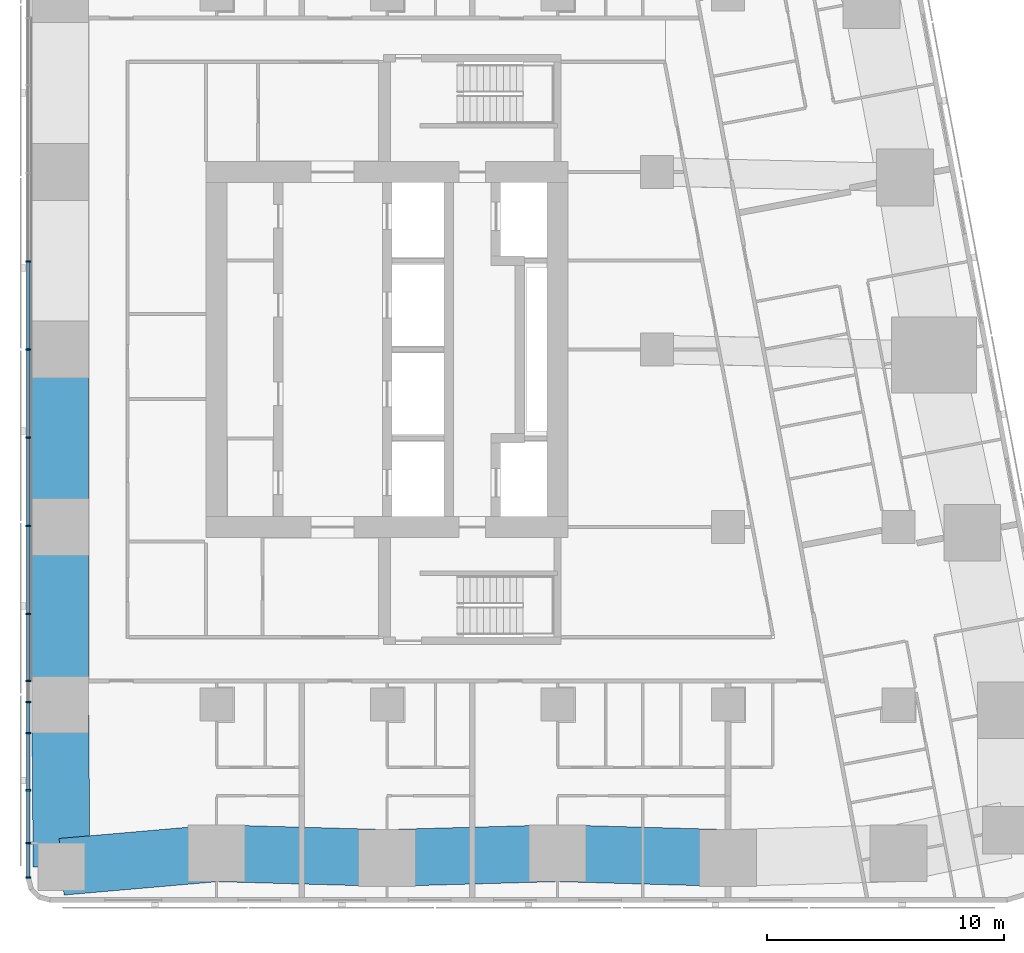
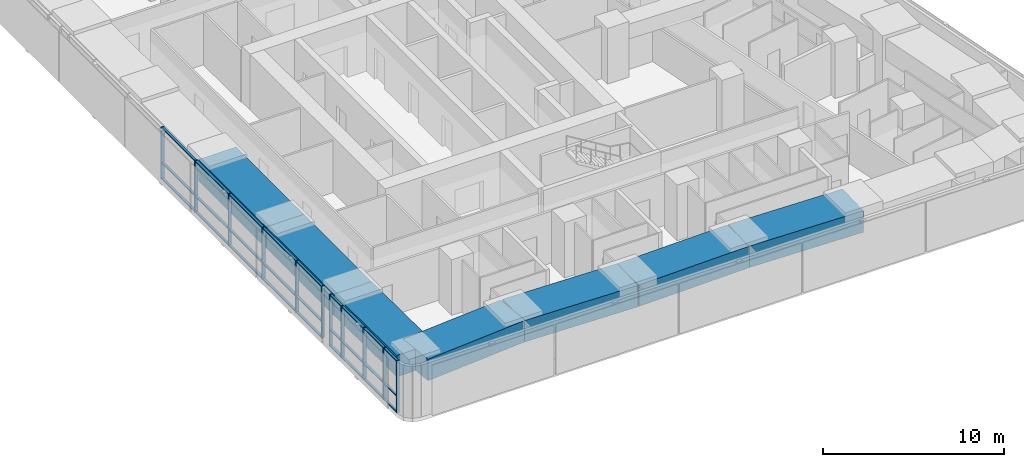
# One storey, part 2 of 17: 38 members, 7 beams, 1 element without a shape of its own.
"""IFC4 building model written with IfcOpenShell, lengths in metres."""

from ifc_helpers import new_model, si_unit, direction, frame, origin, origin_2d, place, context, subcontext, project, spatial, rectangle, extrude, material, material_profile, profile_set, type_object, element, aggregate, save


model = new_model("IFC4")

# Units and contexts
model_context = context("Model", 3, precision=1e-05, world=origin(), true_north=direction((0.0, 1.0)))
body_context = subcontext(model_context, "Body", "Model", "MODEL_VIEW")
ifc_project = project(units=[si_unit("LENGTHUNIT", "METRE"), si_unit("AREAUNIT", "SQUARE_METRE"), si_unit("VOLUMEUNIT", "CUBIC_METRE"), si_unit("PLANEANGLEUNIT", "RADIAN"), si_unit("MASSUNIT", "GRAM", prefix="KILO")], contexts=[model_context])

# Site, building, storey
site_placement = place(None, origin())
site = spatial("IfcSite", under=ifc_project, at=site_placement, CompositionType="ELEMENT")
building_placement = place(site_placement, origin())
building = spatial("IfcBuilding", under=site, at=building_placement, Name="Sheger Commons Tower", CompositionType="ELEMENT")
storey_placement = place(building_placement, frame((0.0, 0.0, 208.699951171875)))
storey = spatial("IfcBuildingStorey", under=building, at=storey_placement, Name="L53", CompositionType="ELEMENT", Elevation=208.699951171875)

# Curtain wall, members
ifc_material_1 = material(Name="Black aluminium curtain wall, dark tinted glazing", Category="aluminium")
curtain_wall_type = type_object("IfcCurtainWallType", Name="CURTAIN WALL CW4 GALLERY", PredefinedType="USERDEFINED", material=ifc_material_1)
curtain_wall_placement = place(storey_placement, origin())
curtain_wall = element("IfcCurtainWall", 1, at=curtain_wall_placement, inside=storey, type_object=curtain_wall_type, Name="Curtain Wall Cw4 Gallery W1 L53", ObjectType="UNITISED CURTAIN WALL", PredefinedType="USERDEFINED")
ifc_material_2 = material(Name="Black anodised aluminium", Category="aluminium")
ifc_material_profile_1 = material_profile(ifc_material_2, rectangle(XDim=0.199951171875, YDim=0.06494140625, at=origin_2d()), Name="AL 65x200")
ifc_profile_set_1 = profile_set([ifc_material_profile_1], Name="Black anodised aluminium")
member_type_1 = type_object("IfcMemberType", Name="MULLION AL 65x200", PredefinedType="MULLION", material=ifc_profile_set_1)
member_1_placement = place(storey_placement, frame((6.449951171875, 26.222900390625, 0.0), z_axis=(0.0, 0.0, 1.0), x_axis=(1.0, 0.0, 0.0)))
member_1 = element("IfcMember", 2, at=member_1_placement, type_object=member_type_1, Name="CW4 mullion 9", PredefinedType="MULLION", context=body_context, shape_type="SweptSolid", body=[
    extrude(rectangle(XDim=0.199951171875, YDim=0.06494140625, at=origin_2d()), origin(), (0.0, 0.0, 1.0), 3.5),
])
member_2_placement = place(storey_placement, frame((6.449951171875, 22.5, 0.0), z_axis=(0.0, 0.0, 1.0), x_axis=(1.0, 0.0, 0.0)))
member_2 = element("IfcMember", 3, at=member_2_placement, type_object=member_type_1, Name="CW4 mullion 10", PredefinedType="MULLION", context=body_context, shape_type="SweptSolid", body=[
    extrude(rectangle(XDim=0.199951171875, YDim=0.06494140625, at=origin_2d()), origin(), (0.0, 0.0, 1.0), 3.5),
])
member_3_placement = place(storey_placement, frame((6.449951171875, 18.777099609375, 0.0), z_axis=(0.0, 0.0, 1.0), x_axis=(1.0, 0.0, 0.0)))
member_3 = element("IfcMember", 4, at=member_3_placement, type_object=member_type_1, Name="CW4 mullion 11", PredefinedType="MULLION", context=body_context, shape_type="SweptSolid", body=[
    extrude(rectangle(XDim=0.199951171875, YDim=0.06494140625, at=origin_2d()), origin(), (0.0, 0.0, 1.0), 3.5),
])
member_4_placement = place(storey_placement, frame((6.449951171875, 15.053955078125, 0.0), z_axis=(0.0, 0.0, 1.0), x_axis=(1.0, 0.0, 0.0)))
member_4 = element("IfcMember", 5, at=member_4_placement, type_object=member_type_1, Name="CW4 mullion 12", PredefinedType="MULLION", context=body_context, shape_type="SweptSolid", body=[
    extrude(rectangle(XDim=0.199951171875, YDim=0.06494140625, at=origin_2d()), origin(), (0.0, 0.0, 1.0), 3.5),
])
member_5_placement = place(storey_placement, frame((6.449951171875, 11.3310546875, 0.0), z_axis=(0.0, 0.0, 1.0), x_axis=(1.0, 0.0, 0.0)))
member_5 = element("IfcMember", 6, at=member_5_placement, type_object=member_type_1, Name="CW4 mullion 13", PredefinedType="MULLION", context=body_context, shape_type="SweptSolid", body=[
    extrude(rectangle(XDim=0.199951171875, YDim=0.06494140625, at=origin_2d()), origin(), (0.0, 0.0, 1.0), 3.5),
])
member_6_placement = place(storey_placement, frame((6.449951171875, 8.5, 0.0), z_axis=(0.0, 0.0, 1.0), x_axis=(1.0, 0.0, 0.0)))
member_6 = element("IfcMember", 7, at=member_6_placement, type_object=member_type_1, Name="CW4 mullion 14", PredefinedType="MULLION", context=body_context, shape_type="SweptSolid", body=[
    extrude(rectangle(XDim=0.199951171875, YDim=0.06494140625, at=origin_2d()), origin(), (0.0, 0.0, 1.0), 3.5),
])
member_7_placement = place(storey_placement, frame((6.449951171875, 7.60888671875, 0.0), z_axis=(0.0, 0.0, 1.0), x_axis=(1.0, 0.0, 0.0)))
member_7 = element("IfcMember", 8, at=member_7_placement, type_object=member_type_1, Name="CW4 mullion 15", PredefinedType="MULLION", context=body_context, shape_type="SweptSolid", body=[
    extrude(rectangle(XDim=0.199951171875, YDim=0.06494140625, at=origin_2d()), origin(), (0.0, 0.0, 1.0), 3.5),
])
member_8_placement = place(storey_placement, frame((6.449951171875, 6.300048828125, 0.0), z_axis=(0.0, 0.0, 1.0), x_axis=(1.0, 0.0, 0.0)))
member_8 = element("IfcMember", 9, at=member_8_placement, type_object=member_type_1, Name="CW4 mullion 16", PredefinedType="MULLION", context=body_context, shape_type="SweptSolid", body=[
    extrude(rectangle(XDim=0.199951171875, YDim=0.06494140625, at=origin_2d()), origin(), (0.0, 0.0, 1.0), 3.5),
])
member_9_placement = place(storey_placement, frame((6.449951171875, 3.885986328125, 0.0), z_axis=(0.0, 0.0, 1.0), x_axis=(1.0, 0.0, 0.0)))
member_9 = element("IfcMember", 10, at=member_9_placement, type_object=member_type_1, Name="CW4 mullion 17", PredefinedType="MULLION", context=body_context, shape_type="SweptSolid", body=[
    extrude(rectangle(XDim=0.199951171875, YDim=0.06494140625, at=origin_2d()), origin(), (0.0, 0.0, 1.0), 3.5),
])
member_10_placement = place(storey_placement, frame((6.449951171875, 1.654052734375, 0.0), z_axis=(0.0, 0.0, 1.0), x_axis=(1.0, 0.0, 0.0)))
member_10 = element("IfcMember", 11, at=member_10_placement, type_object=member_type_1, Name="CW4 mullion 18", PredefinedType="MULLION", context=body_context, shape_type="SweptSolid", body=[
    extrude(rectangle(XDim=0.199951171875, YDim=0.06494140625, at=origin_2d()), origin(), (0.0, 0.0, 1.0), 3.5),
])
member_11_placement = place(storey_placement, frame((6.449951171875, 0.195556640625, 0.0), z_axis=(0.0, 0.0, 1.0), x_axis=(1.0, 0.0, 0.0)))
member_11 = element("IfcMember", 12, at=member_11_placement, type_object=member_type_1, Name="CW4 mullion 19", PredefinedType="MULLION", context=body_context, shape_type="SweptSolid", body=[
    extrude(rectangle(XDim=0.199951171875, YDim=0.06494140625, at=origin_2d()), origin(), (0.0, 0.0, 1.0), 3.5),
])

# Beams
ifc_material_3 = material(Name="Concrete C50/60", Category="concrete")
ifc_material_profile_2 = material_profile(ifc_material_3, rectangle(XDim=2.39990234375, YDim=1.449951171875, at=origin_2d()), Name="RC 2400x1450")
ifc_profile_set_2 = profile_set([ifc_material_profile_2], Name="Concrete C50/60")
beam_type = type_object("IfcBeamType", Name="SPANDREL RC 2400x1450", PredefinedType="SPANDREL", material=ifc_profile_set_2)
beam_1_placement = place(storey_placement, frame((7.85400390625, 0.654052734375, 2.775146484375), z_axis=(0.996216429799, 0.086906990501, 0.0), x_axis=(-0.086906990501, 0.996216429799, 0.0)))
element("IfcBeam", 13, at=beam_1_placement, inside=storey, type_object=beam_type, Name="Beam 2/A-3/A under L54", PredefinedType="SPANDREL", context=body_context, shape_type="SweptSolid", body=[
    extrude(rectangle(XDim=2.39990234375, YDim=1.449951171875, at=origin_2d()), origin(), (0.0, 0.0, 1.0), 6.57080078125),
])
beam_2_placement = place(storey_placement, frame((14.39990234375, 1.22509765625, 2.775146484375), z_axis=(0.999613688584, -0.027793409217, 0.0), x_axis=(0.027793409217, 0.999613688584, 0.0)))
element("IfcBeam", 14, at=beam_2_placement, inside=storey, type_object=beam_type, Name="Beam 3/A-4/A under L54", PredefinedType="SPANDREL", context=body_context, shape_type="SweptSolid", body=[
    extrude(rectangle(XDim=2.39990234375, YDim=1.449951171875, at=origin_2d()), origin(), (0.0, 0.0, 1.0), 7.202880859375),
])
for number, where, z_axis, x_axis, name in (
    (15, (21.60009765625, 1.02490234375, 2.775146484375), (0.9996136624, 0.027794350926, 0.0), (-0.027794350926, 0.9996136624, 0.0), "Beam 4/A-5/A under L54"),
    (16, (28.800048828125, 1.22509765625, 2.775146484375), (0.9996136624, -0.027794350926, 0.0), (0.027794350926, 0.9996136624, 0.0), "Beam 5/A-6/A under L54"),
):
    element("IfcBeam", number, at=place(storey_placement, frame(where, z_axis=z_axis, x_axis=x_axis)), inside=storey, type_object=beam_type, Name=name, PredefinedType="SPANDREL", context=body_context, shape_type="SweptSolid", body=[
        extrude(rectangle(XDim=2.39990234375, YDim=1.449951171875, at=origin_2d()), origin(), (0.0, 0.0, 1.0), 7.20263671875),
    ])
for number, where, z_axis, x_axis, name in (
    (17, (7.800048828125, 22.5, 2.775146484375), (0.0, -1.0, 0.0), (1.0, 0.0, 0.0), "Beam 2/D-2/C under L54"),
    (18, (7.800048828125, 15.0, 2.775146484375), (0.0, -1.0, 0.0), (1.0, 0.0, 0.0), "Beam 2/C-2/B under L54"),
):
    element("IfcBeam", number, at=place(storey_placement, frame(where, z_axis=z_axis, x_axis=x_axis)), inside=storey, type_object=beam_type, Name=name, PredefinedType="SPANDREL", context=body_context, shape_type="SweptSolid", body=[
        extrude(rectangle(XDim=2.39990234375, YDim=1.449951171875, at=origin_2d()), origin(), (0.0, 0.0, 1.0), 7.5),
    ])
beam_3_placement = place(storey_placement, frame((7.800048828125, 7.5, 2.775146484375), z_axis=(0.00788107188, -0.999968943871, 0.0), x_axis=(0.999968943871, 0.00788107188, 0.0)))
element("IfcBeam", 19, at=beam_3_placement, inside=storey, type_object=beam_type, Name="Beam 2/B-2/A under L54", PredefinedType="SPANDREL", context=body_context, shape_type="SweptSolid", body=[
    extrude(rectangle(XDim=2.39990234375, YDim=1.449951171875, at=origin_2d()), origin(), (0.0, 0.0, 1.0), 6.84619140625),
])

# Member
ifc_material_4 = material(Name="Black anodised aluminium", Category="aluminium")
ifc_material_profile_3 = material_profile(ifc_material_4, rectangle(XDim=0.14990234375, YDim=0.06494140625, at=origin_2d()), Name="AL 65x150")
ifc_profile_set_3 = profile_set([ifc_material_profile_3], Name="Black anodised aluminium")
member_type_2 = type_object("IfcMemberType", Name="TRANSOM AL 65x150", PredefinedType="USERDEFINED", material=ifc_profile_set_3)
member_12_placement = place(storey_placement, frame((6.449951171875, 26.1904296875, 0.032470703125), z_axis=(0.0, -1.0, 0.0), x_axis=(1.0, 0.0, 0.0)))
member_12 = element("IfcMember", 20, at=member_12_placement, type_object=member_type_2, Name="CW4 transom 9.1", ObjectType="TRANSOM", PredefinedType="USERDEFINED", context=body_context, shape_type="SweptSolid", body=[
    extrude(rectangle(XDim=0.14990234375, YDim=0.06494140625, at=origin_2d()), origin(), (0.0, 0.0, 1.0), 3.657958984375),
])

member_13_placement = place(storey_placement, frame((6.449951171875, 26.1904296875, 1.10009765625), z_axis=(0.0, -1.0, 0.0), x_axis=(1.0, 0.0, 0.0)))
member_13 = element("IfcMember", 21, at=member_13_placement, type_object=member_type_2, Name="CW4 transom 9.2", ObjectType="TRANSOM", PredefinedType="USERDEFINED", context=body_context, shape_type="SweptSolid", body=[
    extrude(rectangle(XDim=0.14990234375, YDim=0.06494140625, at=origin_2d()), origin(), (0.0, 0.0, 1.0), 3.657958984375),
])

member_14_placement = place(storey_placement, frame((6.449951171875, 26.1904296875, 3.467529296875), z_axis=(0.0, -1.0, 0.0), x_axis=(1.0, 0.0, 0.0)))
member_14 = element("IfcMember", 22, at=member_14_placement, type_object=member_type_2, Name="CW4 transom 9.3", ObjectType="TRANSOM", PredefinedType="USERDEFINED", context=body_context, shape_type="SweptSolid", body=[
    extrude(rectangle(XDim=0.14990234375, YDim=0.06494140625, at=origin_2d()), origin(), (0.0, 0.0, 1.0), 3.657958984375),
])

member_15_placement = place(storey_placement, frame((6.449951171875, 22.467529296875, 0.032470703125), z_axis=(0.0, -1.0, 0.0), x_axis=(1.0, 0.0, 0.0)))
member_15 = element("IfcMember", 23, at=member_15_placement, type_object=member_type_2, Name="CW4 transom 10.1", ObjectType="TRANSOM", PredefinedType="USERDEFINED", context=body_context, shape_type="SweptSolid", body=[
    extrude(rectangle(XDim=0.14990234375, YDim=0.06494140625, at=origin_2d()), origin(), (0.0, 0.0, 1.0), 3.657958984375),
])

member_16_placement = place(storey_placement, frame((6.449951171875, 22.467529296875, 1.10009765625), z_axis=(0.0, -1.0, 0.0), x_axis=(1.0, 0.0, 0.0)))
member_16 = element("IfcMember", 24, at=member_16_placement, type_object=member_type_2, Name="CW4 transom 10.2", ObjectType="TRANSOM", PredefinedType="USERDEFINED", context=body_context, shape_type="SweptSolid", body=[
    extrude(rectangle(XDim=0.14990234375, YDim=0.06494140625, at=origin_2d()), origin(), (0.0, 0.0, 1.0), 3.657958984375),
])

member_17_placement = place(storey_placement, frame((6.449951171875, 22.467529296875, 3.467529296875), z_axis=(0.0, -1.0, 0.0), x_axis=(1.0, 0.0, 0.0)))
member_17 = element("IfcMember", 25, at=member_17_placement, type_object=member_type_2, Name="CW4 transom 10.3", ObjectType="TRANSOM", PredefinedType="USERDEFINED", context=body_context, shape_type="SweptSolid", body=[
    extrude(rectangle(XDim=0.14990234375, YDim=0.06494140625, at=origin_2d()), origin(), (0.0, 0.0, 1.0), 3.657958984375),
])

member_18_placement = place(storey_placement, frame((6.449951171875, 18.744384765625, 0.032470703125), z_axis=(0.0, -1.0, 0.0), x_axis=(1.0, 0.0, 0.0)))
member_18 = element("IfcMember", 26, at=member_18_placement, type_object=member_type_2, Name="CW4 transom 11.1", ObjectType="TRANSOM", PredefinedType="USERDEFINED", context=body_context, shape_type="SweptSolid", body=[
    extrude(rectangle(XDim=0.14990234375, YDim=0.06494140625, at=origin_2d()), origin(), (0.0, 0.0, 1.0), 3.657958984375),
])

member_19_placement = place(storey_placement, frame((6.449951171875, 18.744384765625, 1.10009765625), z_axis=(0.0, -1.0, 0.0), x_axis=(1.0, 0.0, 0.0)))
member_19 = element("IfcMember", 27, at=member_19_placement, type_object=member_type_2, Name="CW4 transom 11.2", ObjectType="TRANSOM", PredefinedType="USERDEFINED", context=body_context, shape_type="SweptSolid", body=[
    extrude(rectangle(XDim=0.14990234375, YDim=0.06494140625, at=origin_2d()), origin(), (0.0, 0.0, 1.0), 3.657958984375),
])

member_20_placement = place(storey_placement, frame((6.449951171875, 18.744384765625, 3.467529296875), z_axis=(0.0, -1.0, 0.0), x_axis=(1.0, 0.0, 0.0)))
member_20 = element("IfcMember", 28, at=member_20_placement, type_object=member_type_2, Name="CW4 transom 11.3", ObjectType="TRANSOM", PredefinedType="USERDEFINED", context=body_context, shape_type="SweptSolid", body=[
    extrude(rectangle(XDim=0.14990234375, YDim=0.06494140625, at=origin_2d()), origin(), (0.0, 0.0, 1.0), 3.657958984375),
])

member_21_placement = place(storey_placement, frame((6.449951171875, 15.021484375, 0.032470703125), z_axis=(0.0, -1.0, 0.0), x_axis=(1.0, 0.0, 0.0)))
member_21 = element("IfcMember", 29, at=member_21_placement, type_object=member_type_2, Name="CW4 transom 12.1", ObjectType="TRANSOM", PredefinedType="USERDEFINED", context=body_context, shape_type="SweptSolid", body=[
    extrude(rectangle(XDim=0.14990234375, YDim=0.06494140625, at=origin_2d()), origin(), (0.0, 0.0, 1.0), 3.657958984375),
])

member_22_placement = place(storey_placement, frame((6.449951171875, 15.021484375, 1.10009765625), z_axis=(0.0, -1.0, 0.0), x_axis=(1.0, 0.0, 0.0)))
member_22 = element("IfcMember", 30, at=member_22_placement, type_object=member_type_2, Name="CW4 transom 12.2", ObjectType="TRANSOM", PredefinedType="USERDEFINED", context=body_context, shape_type="SweptSolid", body=[
    extrude(rectangle(XDim=0.14990234375, YDim=0.06494140625, at=origin_2d()), origin(), (0.0, 0.0, 1.0), 3.657958984375),
])

member_23_placement = place(storey_placement, frame((6.449951171875, 15.021484375, 3.467529296875), z_axis=(0.0, -1.0, 0.0), x_axis=(1.0, 0.0, 0.0)))
member_23 = element("IfcMember", 31, at=member_23_placement, type_object=member_type_2, Name="CW4 transom 12.3", ObjectType="TRANSOM", PredefinedType="USERDEFINED", context=body_context, shape_type="SweptSolid", body=[
    extrude(rectangle(XDim=0.14990234375, YDim=0.06494140625, at=origin_2d()), origin(), (0.0, 0.0, 1.0), 3.657958984375),
])

member_24_placement = place(storey_placement, frame((6.449951171875, 11.298583984375, 0.032470703125), z_axis=(0.0, -1.0, 0.0), x_axis=(1.0, 0.0, 0.0)))
member_24 = element("IfcMember", 32, at=member_24_placement, type_object=member_type_2, Name="CW4 transom 13.1", ObjectType="TRANSOM", PredefinedType="USERDEFINED", context=body_context, shape_type="SweptSolid", body=[
    extrude(rectangle(XDim=0.14990234375, YDim=0.06494140625, at=origin_2d()), origin(), (0.0, 0.0, 1.0), 2.76611328125),
])

member_25_placement = place(storey_placement, frame((6.449951171875, 11.298583984375, 1.10009765625), z_axis=(0.0, -1.0, 0.0), x_axis=(1.0, 0.0, 0.0)))
member_25 = element("IfcMember", 33, at=member_25_placement, type_object=member_type_2, Name="CW4 transom 13.2", ObjectType="TRANSOM", PredefinedType="USERDEFINED", context=body_context, shape_type="SweptSolid", body=[
    extrude(rectangle(XDim=0.14990234375, YDim=0.06494140625, at=origin_2d()), origin(), (0.0, 0.0, 1.0), 2.76611328125),
])

member_26_placement = place(storey_placement, frame((6.449951171875, 11.298583984375, 3.467529296875), z_axis=(0.0, -1.0, 0.0), x_axis=(1.0, 0.0, 0.0)))
member_26 = element("IfcMember", 34, at=member_26_placement, type_object=member_type_2, Name="CW4 transom 13.3", ObjectType="TRANSOM", PredefinedType="USERDEFINED", context=body_context, shape_type="SweptSolid", body=[
    extrude(rectangle(XDim=0.14990234375, YDim=0.06494140625, at=origin_2d()), origin(), (0.0, 0.0, 1.0), 2.76611328125),
])

member_27_placement = place(storey_placement, frame((6.449951171875, 7.576416015625, 0.032470703125), z_axis=(0.0, -1.0, 0.0), x_axis=(1.0, 0.0, 0.0)))
member_27 = element("IfcMember", 35, at=member_27_placement, type_object=member_type_2, Name="CW4 transom 15.1", ObjectType="TRANSOM", PredefinedType="USERDEFINED", context=body_context, shape_type="SweptSolid", body=[
    extrude(rectangle(XDim=0.14990234375, YDim=0.06494140625, at=origin_2d()), origin(), (0.0, 0.0, 1.0), 1.243896484375),
])

member_28_placement = place(storey_placement, frame((6.449951171875, 7.576416015625, 1.10009765625), z_axis=(0.0, -1.0, 0.0), x_axis=(1.0, 0.0, 0.0)))
member_28 = element("IfcMember", 36, at=member_28_placement, type_object=member_type_2, Name="CW4 transom 15.2", ObjectType="TRANSOM", PredefinedType="USERDEFINED", context=body_context, shape_type="SweptSolid", body=[
    extrude(rectangle(XDim=0.14990234375, YDim=0.06494140625, at=origin_2d()), origin(), (0.0, 0.0, 1.0), 1.243896484375),
])

member_29_placement = place(storey_placement, frame((6.449951171875, 7.576416015625, 3.467529296875), z_axis=(0.0, -1.0, 0.0), x_axis=(1.0, 0.0, 0.0)))
member_29 = element("IfcMember", 37, at=member_29_placement, type_object=member_type_2, Name="CW4 transom 15.3", ObjectType="TRANSOM", PredefinedType="USERDEFINED", context=body_context, shape_type="SweptSolid", body=[
    extrude(rectangle(XDim=0.14990234375, YDim=0.06494140625, at=origin_2d()), origin(), (0.0, 0.0, 1.0), 1.243896484375),
])

member_30_placement = place(storey_placement, frame((6.449951171875, 6.267578125, 0.032470703125), z_axis=(0.0, -1.0, 0.0), x_axis=(1.0, 0.0, 0.0)))
member_30 = element("IfcMember", 38, at=member_30_placement, type_object=member_type_2, Name="CW4 transom 16.1", ObjectType="TRANSOM", PredefinedType="USERDEFINED", context=body_context, shape_type="SweptSolid", body=[
    extrude(rectangle(XDim=0.14990234375, YDim=0.06494140625, at=origin_2d()), origin(), (0.0, 0.0, 1.0), 2.34912109375),
])

member_31_placement = place(storey_placement, frame((6.449951171875, 6.267578125, 1.10009765625), z_axis=(0.0, -1.0, 0.0), x_axis=(1.0, 0.0, 0.0)))
member_31 = element("IfcMember", 39, at=member_31_placement, type_object=member_type_2, Name="CW4 transom 16.2", ObjectType="TRANSOM", PredefinedType="USERDEFINED", context=body_context, shape_type="SweptSolid", body=[
    extrude(rectangle(XDim=0.14990234375, YDim=0.06494140625, at=origin_2d()), origin(), (0.0, 0.0, 1.0), 2.34912109375),
])

member_32_placement = place(storey_placement, frame((6.449951171875, 6.267578125, 3.467529296875), z_axis=(0.0, -1.0, 0.0), x_axis=(1.0, 0.0, 0.0)))
member_32 = element("IfcMember", 40, at=member_32_placement, type_object=member_type_2, Name="CW4 transom 16.3", ObjectType="TRANSOM", PredefinedType="USERDEFINED", context=body_context, shape_type="SweptSolid", body=[
    extrude(rectangle(XDim=0.14990234375, YDim=0.06494140625, at=origin_2d()), origin(), (0.0, 0.0, 1.0), 2.34912109375),
])

member_33_placement = place(storey_placement, frame((6.449951171875, 3.853515625, 0.032470703125), z_axis=(0.0, -1.0, 0.0), x_axis=(1.0, 0.0, 0.0)))
member_33 = element("IfcMember", 41, at=member_33_placement, type_object=member_type_2, Name="CW4 transom 17.1", ObjectType="TRANSOM", PredefinedType="USERDEFINED", context=body_context, shape_type="SweptSolid", body=[
    extrude(rectangle(XDim=0.14990234375, YDim=0.06494140625, at=origin_2d()), origin(), (0.0, 0.0, 1.0), 2.1669921875),
])

member_34_placement = place(storey_placement, frame((6.449951171875, 3.853515625, 1.10009765625), z_axis=(0.0, -1.0, 0.0), x_axis=(1.0, 0.0, 0.0)))
member_34 = element("IfcMember", 42, at=member_34_placement, type_object=member_type_2, Name="CW4 transom 17.2", ObjectType="TRANSOM", PredefinedType="USERDEFINED", context=body_context, shape_type="SweptSolid", body=[
    extrude(rectangle(XDim=0.14990234375, YDim=0.06494140625, at=origin_2d()), origin(), (0.0, 0.0, 1.0), 2.1669921875),
])

member_35_placement = place(storey_placement, frame((6.449951171875, 3.853515625, 3.467529296875), z_axis=(0.0, -1.0, 0.0), x_axis=(1.0, 0.0, 0.0)))
member_35 = element("IfcMember", 43, at=member_35_placement, type_object=member_type_2, Name="CW4 transom 17.3", ObjectType="TRANSOM", PredefinedType="USERDEFINED", context=body_context, shape_type="SweptSolid", body=[
    extrude(rectangle(XDim=0.14990234375, YDim=0.06494140625, at=origin_2d()), origin(), (0.0, 0.0, 1.0), 2.1669921875),
])

member_36_placement = place(storey_placement, frame((6.449951171875, 1.62158203125, 0.032470703125), z_axis=(0.0, -1.0, 0.0), x_axis=(1.0, 0.0, 0.0)))
member_36 = element("IfcMember", 44, at=member_36_placement, type_object=member_type_2, Name="CW4 transom 18.1", ObjectType="TRANSOM", PredefinedType="USERDEFINED", context=body_context, shape_type="SweptSolid", body=[
    extrude(rectangle(XDim=0.14990234375, YDim=0.06494140625, at=origin_2d()), origin(), (0.0, 0.0, 1.0), 1.3935546875),
])

member_37_placement = place(storey_placement, frame((6.449951171875, 1.62158203125, 1.10009765625), z_axis=(0.0, -1.0, 0.0), x_axis=(1.0, 0.0, 0.0)))
member_37 = element("IfcMember", 45, at=member_37_placement, type_object=member_type_2, Name="CW4 transom 18.2", ObjectType="TRANSOM", PredefinedType="USERDEFINED", context=body_context, shape_type="SweptSolid", body=[
    extrude(rectangle(XDim=0.14990234375, YDim=0.06494140625, at=origin_2d()), origin(), (0.0, 0.0, 1.0), 1.3935546875),
])

member_38_placement = place(storey_placement, frame((6.449951171875, 1.62158203125, 3.467529296875), z_axis=(0.0, -1.0, 0.0), x_axis=(1.0, 0.0, 0.0)))
member_38 = element("IfcMember", 46, at=member_38_placement, type_object=member_type_2, Name="CW4 transom 18.3", ObjectType="TRANSOM", PredefinedType="USERDEFINED", context=body_context, shape_type="SweptSolid", body=[
    extrude(rectangle(XDim=0.14990234375, YDim=0.06494140625, at=origin_2d()), origin(), (0.0, 0.0, 1.0), 1.3935546875),
])

aggregate(curtain_wall, [member_1, member_2, member_3, member_4, member_5, member_6, member_7, member_8, member_9, member_10, member_11, member_12, member_13, member_14, member_15, member_16, member_17, member_18, member_19, member_20, member_21, member_22, member_23, member_24, member_25, member_26, member_27, member_28, member_29, member_30, member_31, member_32, member_33, member_34, member_35, member_36, member_37, member_38])

save(model, "model.ifc")
